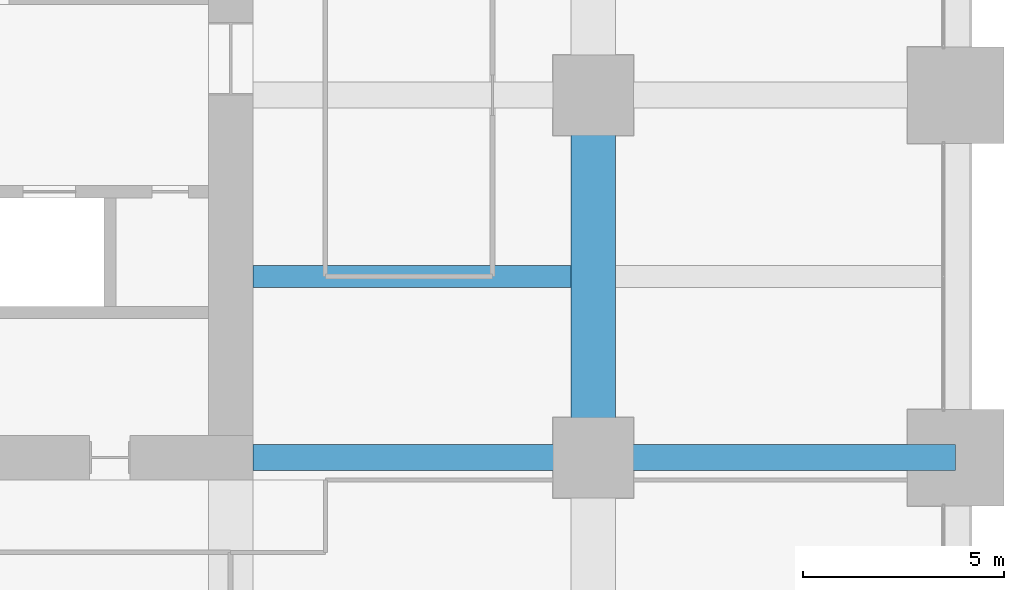
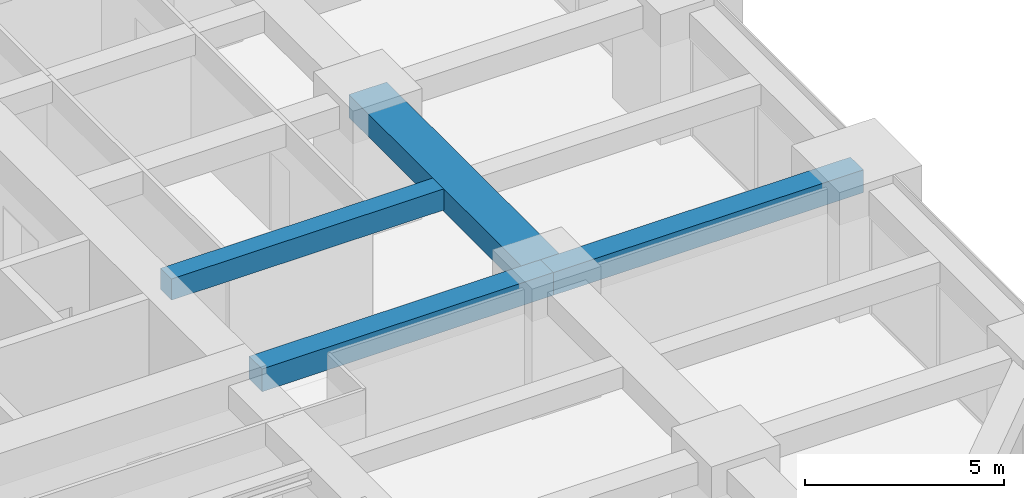
# One storey, part 20 of 40: 4 beams.
"""IFC4 building model written with IfcOpenShell, lengths in metres."""

import ifcopenshell
import ifcopenshell.guid

model = None  # the IFC model being written
_history = None  # IfcOwnerHistory: only IFC2X3 demands one
_inside = {}  # id of a spatial element -> (the spatial element, [elements in it])
_under = {}  # id of a project, library or spatial element -> (it, [spatial elements below it])
_declared = {}  # id of a project -> (the project, [libraries it declares])
_typed = {}  # id of a type object -> (the type object, [elements of that type])
_made_of = {}  # id of a material, layer set ... -> (it, [elements and type objects made of it])


def new_model(schema):
    """Start an empty IFC model of exactly this schema.

    Asked for "IFC4X3", IfcOpenShell would pick the latest addendum, in which some entities
    have other attributes; the version numbers below select the first issue.
    IFC2X3 requires an IfcOwnerHistory on every rooted entity: one is made here for all.
    """
    global model, _history
    if schema == "IFC4X3":
        model = ifcopenshell.file(schema_version=(4, 3, 0, 0))
    else:
        model = ifcopenshell.file(schema=schema)
    _inside.clear()
    _under.clear()
    _declared.clear()
    _typed.clear()
    _made_of.clear()
    _history = None
    if model.schema == "IFC2X3":
        org = make("IfcOrganization", Name="unknown")
        user = make(
            "IfcPersonAndOrganization",
            ThePerson=make("IfcPerson", FamilyName="unknown"),
            TheOrganization=org,
        )
        app = make(
            "IfcApplication",
            ApplicationDeveloper=org,
            Version="unknown",
            ApplicationFullName="unknown",
            ApplicationIdentifier="unknown",
        )
        _history = make(
            "IfcOwnerHistory",
            OwningUser=user,
            OwningApplication=app,
            ChangeAction="ADDED",
            CreationDate=0,
        )
    return model


def make(cls, **values):
    """One entity of the class cls with the attributes given. An attribute that is None is left unset."""
    return model.create_entity(
        cls, **{name: value for name, value in values.items() if value is not None}
    )


def rooted(cls, **values):
    """An entity with a GlobalId (a new one), such as an element, a storey or a relation."""
    return make(cls, GlobalId=ifcopenshell.guid.new(), OwnerHistory=_history, **values)


def si_unit(unit_type, name, prefix=None):
    """IfcSIUnit, for example si_unit("LENGTHUNIT", "METRE", prefix="MILLI")."""
    return make("IfcSIUnit", UnitType=unit_type, Prefix=prefix, Name=name)


def assignment(units):
    """IfcUnitAssignment: the units of a project."""
    return None if units is None else make("IfcUnitAssignment", Units=units)


def point(xyz):
    """IfcCartesianPoint."""
    return None if xyz is None else make("IfcCartesianPoint", Coordinates=xyz)


def direction(xyz):
    """IfcDirection."""
    return None if xyz is None else make("IfcDirection", DirectionRatios=xyz)


def frame(location, z_axis=None, x_axis=None):
    """IfcAxis2Placement3D, a coordinate frame: its origin and axes. An axis left out is left unset."""
    return make(
        "IfcAxis2Placement3D",
        Location=point(location),
        Axis=direction(z_axis),
        RefDirection=direction(x_axis),
    )


def frame_2d(location, x_axis=None):
    """IfcAxis2Placement2D, a coordinate frame in the plane: its origin and x axis."""
    return make(
        "IfcAxis2Placement2D", Location=point(location), RefDirection=direction(x_axis)
    )


def origin():
    """The frame at (0, 0, 0) with its axes left unset."""
    return frame((0.0, 0.0, 0.0))


def origin_2d():
    """The frame at (0, 0) in the plane with its x axis left unset."""
    return frame_2d((0.0, 0.0))


def place(relative_to, where):
    """IfcLocalPlacement: puts the frame where relative to a parent placement (None: the world)."""
    return make(
        "IfcLocalPlacement", PlacementRelTo=relative_to, RelativePlacement=where
    )


def context(
    kind, dimensions, precision=None, world=None, true_north=None, identifier=None
):
    """IfcGeometricRepresentationContext, for example the 3D "Model" context."""
    return make(
        "IfcGeometricRepresentationContext",
        ContextIdentifier=identifier,
        ContextType=kind,
        CoordinateSpaceDimension=dimensions,
        Precision=precision,
        WorldCoordinateSystem=world,
        TrueNorth=true_north,
    )


def subcontext(parent, identifier, kind, view, scale=None):
    """IfcGeometricRepresentationSubContext, for example "Body" below "Model"."""
    return make(
        "IfcGeometricRepresentationSubContext",
        ContextIdentifier=identifier,
        ContextType=kind,
        ParentContext=parent,
        TargetScale=scale,
        TargetView=view,
    )


def project(units=None, contexts=None):
    """IfcProject with its units and contexts."""
    return rooted(
        "IfcProject",
        Name="project",
        RepresentationContexts=contexts,
        UnitsInContext=assignment(units),
    )


def spatial(cls, under=None, at=None, **own):
    """A site, building, storey or space (cls), placed at a placement, below another one or the project."""
    s = rooted(cls, ObjectPlacement=at, **own)
    if under is not None:
        _under.setdefault(under.id(), (under, []))[1].append(s)
    return s


def profile(cls, at=None, kind="AREA", **sizes):
    """A parametric profile (cls). Its sizes go by their IFC names, for example OverallWidth=200.0."""
    return make(cls, ProfileType=kind, Position=at, **sizes)


def rectangle(**sizes):
    """IfcRectangleProfileDef."""
    return profile("IfcRectangleProfileDef", **sizes)


def extrude(swept, where, along, depth):
    """IfcExtrudedAreaSolid: the profile swept, set in the frame where, extruded along a direction by depth."""
    return make(
        "IfcExtrudedAreaSolid",
        SweptArea=swept,
        Position=where,
        ExtrudedDirection=direction(along),
        Depth=depth,
    )


def shape(context_of_items, identifier, shape_type, items):
    """IfcShapeRepresentation: the items that make up one representation, for example the "Body"."""
    return make(
        "IfcShapeRepresentation",
        ContextOfItems=context_of_items,
        RepresentationIdentifier=identifier,
        RepresentationType=shape_type,
        Items=items,
    )


def material(Name=None, Category=None):
    """IfcMaterial."""
    return make("IfcMaterial", Name=Name, Category=Category)


def material_profile(
    of_material, cross_section, Name=None, Category=None, Priority=None
):
    """IfcMaterialProfile: a cross section and its material."""
    return make(
        "IfcMaterialProfile",
        Name=Name,
        Material=of_material,
        Profile=cross_section,
        Priority=Priority,
        Category=Category,
    )


def profile_set(profiles, Name=None, composite=None):
    """IfcMaterialProfileSet."""
    return make(
        "IfcMaterialProfileSet",
        Name=Name,
        MaterialProfiles=profiles,
        CompositeProfile=composite,
    )


def made_of(thing, what):
    """Note that an element or type object is made of a material, layer set ...; save() writes the relation."""
    if what is not None:
        _made_of.setdefault(what.id(), (what, []))[1].append(thing)
    return thing


def type_object(cls, material=None, **own):
    """A type object (cls), such as IfcWallType, which elements share."""
    return made_of(rooted(cls, **own), material)


def element(
    cls,
    number,
    at=None,
    inside=None,
    cuts=None,
    type_object=None,
    material=None,
    context=None,
    identifier="Body",
    shape_type=None,
    held_by="IfcProductDefinitionShape",
    body=None,
    shapes=None,
    **own,
):
    """One element of the class cls, such as IfcWall. Its Tag is "e" and its number.

    at: its placement. inside: the storey or other place that contains it. cuts: it is an
    opening in that element (IfcRelVoidsElement). A single representation is given by context,
    identifier, shape_type and body (its items); several are given by shapes. held_by: the class
    of the entity that holds the representations. save() writes the other relations.
    """
    e = rooted(cls, Tag="e%d" % number, ObjectPlacement=at, **own)
    if body is not None:
        shapes = [shape(context, identifier, shape_type, body)]
    if shapes is not None:
        e.Representation = make(held_by, Representations=shapes)
    if inside is not None:
        _inside.setdefault(inside.id(), (inside, []))[1].append(e)
    if cuts is not None:
        rooted(
            "IfcRelVoidsElement", RelatingBuildingElement=cuts, RelatedOpeningElement=e
        )
    if type_object is not None:
        _typed.setdefault(type_object.id(), (type_object, []))[1].append(e)
    return made_of(e, material)


def aggregate(whole, parts):
    """IfcRelAggregates: a whole, such as a stair, and the parts it consists of."""
    return rooted("IfcRelAggregates", RelatingObject=whole, RelatedObjects=parts)


def save(model, path):
    """Write the relations noted so far, then the file.

    IfcRelAggregates (storeys below a building ...), IfcRelContainedInSpatialStructure (elements
    in a storey), IfcRelDefinesByType, IfcRelAssociatesMaterial and IfcRelDeclares: one each for
    every whole, place, type object, material and project.
    """
    for whole, parts in _under.values():
        aggregate(whole, parts)
    for where, things in _inside.values():
        rooted(
            "IfcRelContainedInSpatialStructure",
            RelatedElements=things,
            RelatingStructure=where,
        )
    for kind, things in _typed.values():
        rooted("IfcRelDefinesByType", RelatedObjects=things, RelatingType=kind)
    for what, things in _made_of.values():
        rooted("IfcRelAssociatesMaterial", RelatedObjects=things, RelatingMaterial=what)
    for by, libraries in _declared.values():
        rooted("IfcRelDeclares", RelatingContext=by, RelatedDefinitions=libraries)
    model.write(path)


model = new_model("IFC4")

# Units and contexts
model_context = context("Model", 3, precision=1e-05, world=origin(), true_north=direction((0.0, 1.0)))
body_context = subcontext(model_context, "Body", "Model", "MODEL_VIEW")
ifc_project = project(units=[si_unit("LENGTHUNIT", "METRE"), si_unit("AREAUNIT", "SQUARE_METRE"), si_unit("VOLUMEUNIT", "CUBIC_METRE"), si_unit("PLANEANGLEUNIT", "RADIAN"), si_unit("MASSUNIT", "GRAM", prefix="KILO")], contexts=[model_context])

# Site, building, storey
site_placement = place(None, origin())
site = spatial("IfcSite", under=ifc_project, at=site_placement, CompositionType="ELEMENT")
building_placement = place(site_placement, origin())
building = spatial("IfcBuilding", under=site, at=building_placement, Name="Zorevar Civic Tower", CompositionType="ELEMENT")
storey_placement = place(building_placement, frame((0.0, 0.0, 93.0)))
storey = spatial("IfcBuildingStorey", under=building, at=storey_placement, Name="L22", CompositionType="ELEMENT", Elevation=93.0)

# Beams
ifc_material_1 = material(Name="Concrete C50/60", Category="concrete")
ifc_material_profile_1 = material_profile(ifc_material_1, rectangle(XDim=1.10009765625, YDim=0.699951171875, at=origin_2d()), Name="RC 1100x700")
ifc_profile_set_1 = profile_set([ifc_material_profile_1], Name="Concrete C50/60")
beam_type_1 = type_object("IfcBeamType", Name="Beam RC 1100x700", PredefinedType="BEAM", material=ifc_profile_set_1)
beam_1_placement = place(storey_placement, frame((54.0, 18.0, 3.39990234375), z_axis=(0.0, 1.0, 0.0), x_axis=(-1.0, 0.0, 0.0)))
element("IfcBeam", 1, at=beam_1_placement, inside=storey, type_object=beam_type_1, Name="Girder L23", PredefinedType="BEAM", context=body_context, shape_type="SweptSolid", body=[
    extrude(rectangle(XDim=1.10009765625, YDim=0.699951171875, at=origin_2d()), origin(), (0.0, 0.0, 1.0), 9.0),
])
ifc_material_2 = material(Name="Concrete C50/60", Category="concrete")
ifc_material_profile_2 = material_profile(ifc_material_2, rectangle(XDim=0.550048828125, YDim=0.64990234375, at=origin_2d()), Name="RC 550x650")
ifc_profile_set_2 = profile_set([ifc_material_profile_2], Name="Concrete C50/60")
beam_type_2 = type_object("IfcBeamType", Name="Beam RC 550x650", PredefinedType="BEAM", material=ifc_profile_set_2)
beam_2_placement = place(storey_placement, frame((45.550048828125, 22.5, 3.425048828125), z_axis=(1.0, 0.0, 0.0), x_axis=(0.0, 1.0, 0.0)))
element("IfcBeam", 2, at=beam_2_placement, inside=storey, type_object=beam_type_2, Name="Secondary beam L23", PredefinedType="BEAM", context=body_context, shape_type="SweptSolid", body=[
    extrude(rectangle(XDim=0.550048828125, YDim=0.64990234375, at=origin_2d()), origin(), (0.0, 0.0, 1.0), 7.89990234375),
])
ifc_material_3 = material(Name="Concrete C50/60", Category="concrete")
ifc_material_profile_3 = material_profile(ifc_material_3, rectangle(XDim=0.64990234375, YDim=0.699951171875, at=origin_2d()), Name="RC 650x700")
ifc_profile_set_3 = profile_set([ifc_material_profile_3], Name="Concrete C50/60")
beam_type_3 = type_object("IfcBeamType", Name="Beam RC 650x700", PredefinedType="BEAM", material=ifc_profile_set_3)
beam_3_placement = place(storey_placement, frame((45.550048828125, 18.0, 3.39990234375), z_axis=(1.0, 0.0, 0.0), x_axis=(0.0, 1.0, 0.0)))
element("IfcBeam", 3, at=beam_3_placement, inside=storey, type_object=beam_type_3, Name="Girder L23", PredefinedType="BEAM", context=body_context, shape_type="SweptSolid", body=[
    extrude(rectangle(XDim=0.64990234375, YDim=0.699951171875, at=origin_2d()), origin(), (0.0, 0.0, 1.0), 8.449951171875),
])
beam_4_placement = place(storey_placement, frame((54.0, 18.0, 3.39990234375), z_axis=(1.0, 0.0, 0.0), x_axis=(0.0, 1.0, 0.0)))
element("IfcBeam", 4, at=beam_4_placement, inside=storey, type_object=beam_type_3, Name="Girder L23", PredefinedType="BEAM", context=body_context, shape_type="SweptSolid", body=[
    extrude(rectangle(XDim=0.64990234375, YDim=0.699951171875, at=origin_2d()), origin(), (0.0, 0.0, 1.0), 9.0),
])

save(model, "model.ifc")
